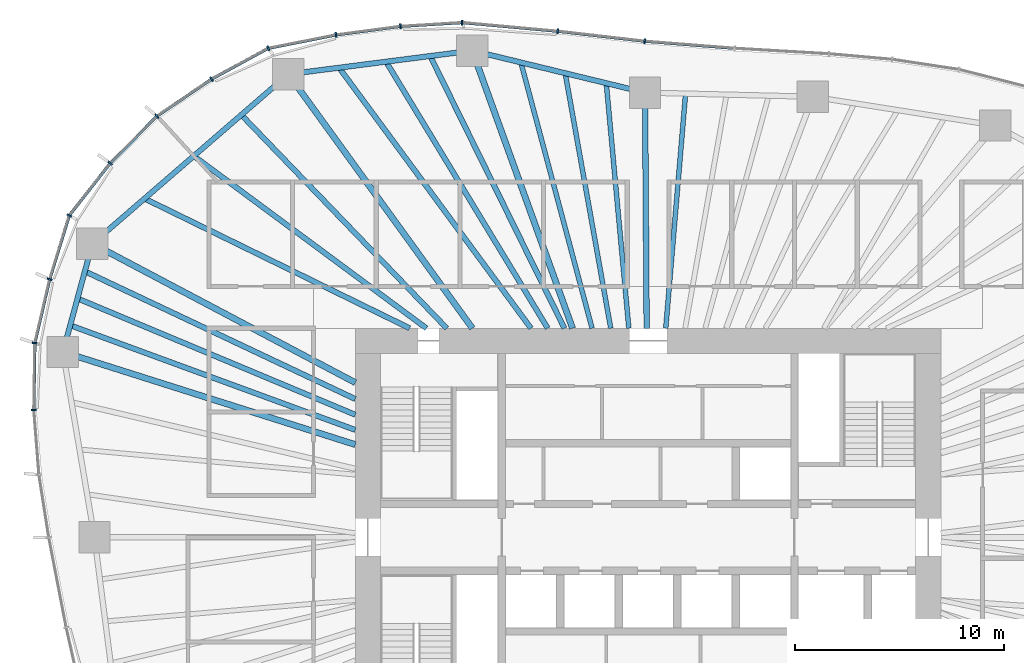
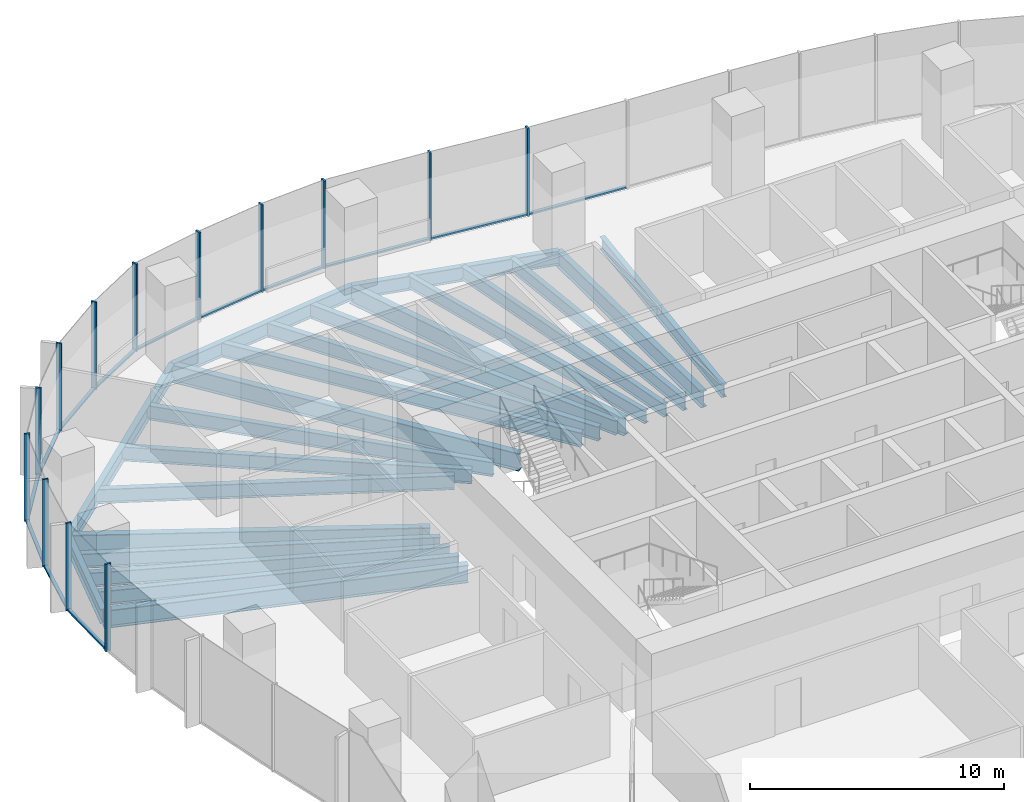
# One storey, part 5 of 18: 26 members, 22 beams, 6 elements without a shape of their own.
"""IFC4 building model written with IfcOpenShell, lengths in metres."""

from ifc_helpers import new_model, si_unit, direction, frame, origin, origin_2d, place, context, subcontext, project, spatial, rectangle, i_section, extrude, material, material_profile, profile_set, type_object, element, aggregate, save


model = new_model("IFC4")

# Units and contexts
model_context = context("Model", 3, precision=1e-05, world=origin(), true_north=direction((0.0, 1.0)))
body_context = subcontext(model_context, "Body", "Model", "MODEL_VIEW")
ifc_project = project(units=[si_unit("LENGTHUNIT", "METRE"), si_unit("AREAUNIT", "SQUARE_METRE"), si_unit("VOLUMEUNIT", "CUBIC_METRE"), si_unit("PLANEANGLEUNIT", "RADIAN"), si_unit("MASSUNIT", "GRAM", prefix="KILO")], contexts=[model_context])

# Site, building, storey
site_placement = place(None, origin())
site = spatial("IfcSite", under=ifc_project, at=site_placement, CompositionType="ELEMENT")
building_placement = place(site_placement, origin())
building = spatial("IfcBuilding", under=site, at=building_placement, Name="Ghaith Harvest Tower", CompositionType="ELEMENT")
storey_placement = place(building_placement, frame((0.0, 0.0, 138.60009765625)))
storey = spatial("IfcBuildingStorey", under=building, at=storey_placement, Name="L29", CompositionType="ELEMENT", Elevation=138.60009765625)

# Curtain wall, members
ifc_material_1 = material(Name="Black anodised aluminium and fritted glass", Category="aluminium")
curtain_wall_type = type_object("IfcCurtainWallType", Name="CW-L CURTAIN WALL", PredefinedType="NOTDEFINED", material=ifc_material_1)
curtain_wall_1_placement = place(storey_placement, origin())
curtain_wall_1 = element("IfcCurtainWall", 1, at=curtain_wall_1_placement, inside=storey, type_object=curtain_wall_type, Name="Curtain wall CW-L bay 06 L29", PredefinedType="NOTDEFINED")
ifc_material_2 = material(Name="Aluminium, black anodised", Category="aluminium")
ifc_material_profile_1 = material_profile(ifc_material_2, rectangle(XDim=0.080078125, YDim=0.239990234375, at=origin_2d()), Name="CW-L MULLION 80x240")
ifc_profile_set_1 = profile_set([ifc_material_profile_1], Name="Aluminium, black anodised")
member_type_1 = type_object("IfcMemberType", Name="CW-L MULLION 80x240", PredefinedType="MULLION", material=ifc_profile_set_1)
member_1_placement = place(storey_placement, frame((-0.162353515625, 23.729736328125, 0.0), z_axis=(0.0, 0.0, 1.0), x_axis=(-0.995388088953, 0.095929934691, 0.0)))
member_1 = element("IfcMember", 2, at=member_1_placement, type_object=member_type_1, Name="CW-L mullion 1 bay 06 L29", PredefinedType="MULLION", context=body_context, shape_type="SweptSolid", body=[
    extrude(rectangle(XDim=0.080078125, YDim=0.239990234375, at=origin_2d()), origin(), (0.0, 0.0, 1.0), 4.199951171875),
])
member_2_placement = place(storey_placement, frame((-4.322998046875, 24.207275390625, 0.0), z_axis=(0.0, 0.0, 1.0), x_axis=(-0.994830371571, 0.101550636625, 0.0)))
member_2 = element("IfcMember", 3, at=member_2_placement, type_object=member_type_1, Name="CW-L mullion 2 bay 06 L29", PredefinedType="MULLION", context=body_context, shape_type="SweptSolid", body=[
    extrude(rectangle(XDim=0.080078125, YDim=0.239990234375, at=origin_2d()), origin(), (0.0, 0.0, 1.0), 4.199951171875),
])

curtain_wall_2_placement = place(storey_placement, origin())
curtain_wall_2 = element("IfcCurtainWall", 4, at=curtain_wall_2_placement, inside=storey, type_object=curtain_wall_type, Name="Curtain wall CW-L bay 07 L29", PredefinedType="NOTDEFINED")
member_3_placement = place(storey_placement, frame((-8.892578125, 24.620849609375, 0.0), z_axis=(0.0, 0.0, 1.0), x_axis=(-0.999522209385, 0.030908784286, 0.0)))
member_3 = element("IfcMember", 5, at=member_3_placement, type_object=member_type_1, Name="CW-L mullion 1 bay 07 L29", PredefinedType="MULLION", context=body_context, shape_type="SweptSolid", body=[
    extrude(rectangle(XDim=0.080078125, YDim=0.239990234375, at=origin_2d()), origin(), (0.0, 0.0, 1.0), 4.199951171875),
])
member_4_placement = place(storey_placement, frame((-11.841064453125, 24.439697265625, 0.0), z_axis=(0.0, 0.0, 1.0), x_axis=(-0.995237520168, -0.097479630949, 0.0)))
member_4 = element("IfcMember", 6, at=member_4_placement, type_object=member_type_1, Name="CW-L mullion 2 bay 07 L29", PredefinedType="MULLION", context=body_context, shape_type="SweptSolid", body=[
    extrude(rectangle(XDim=0.080078125, YDim=0.239990234375, at=origin_2d()), origin(), (0.0, 0.0, 1.0), 4.199951171875),
])
member_5_placement = place(storey_placement, frame((-14.923828125, 24.030029296875, 0.0), z_axis=(0.0, 0.0, 1.0), x_axis=(-0.986494514812, -0.163794298578, 0.0)))
member_5 = element("IfcMember", 7, at=member_5_placement, type_object=member_type_1, Name="CW-L mullion 3 bay 07 L29", PredefinedType="MULLION", context=body_context, shape_type="SweptSolid", body=[
    extrude(rectangle(XDim=0.080078125, YDim=0.239990234375, at=origin_2d()), origin(), (0.0, 0.0, 1.0), 4.199951171875),
])

curtain_wall_3_placement = place(storey_placement, origin())
curtain_wall_3 = element("IfcCurtainWall", 8, at=curtain_wall_3_placement, inside=storey, type_object=curtain_wall_type, Name="Curtain wall CW-L bay 08 L29", PredefinedType="NOTDEFINED")
member_6_placement = place(storey_placement, frame((-18.165283203125, 23.3896484375, 0.0), z_axis=(0.0, 0.0, 1.0), x_axis=(-0.942103541202, -0.335322110298, 0.0)))
member_6 = element("IfcMember", 9, at=member_6_placement, type_object=member_type_1, Name="CW-L mullion 1 bay 08 L29", PredefinedType="MULLION", context=body_context, shape_type="SweptSolid", body=[
    extrude(rectangle(XDim=0.080078125, YDim=0.239990234375, at=origin_2d()), origin(), (0.0, 0.0, 1.0), 4.199951171875),
])
member_7_placement = place(storey_placement, frame((-20.87548828125, 21.91162109375, 0.0), z_axis=(0.0, 0.0, 1.0), x_axis=(-0.853515864435, -0.521066856707, 0.0)))
member_7 = element("IfcMember", 10, at=member_7_placement, type_object=member_type_1, Name="CW-L mullion 2 bay 08 L29", PredefinedType="MULLION", context=body_context, shape_type="SweptSolid", body=[
    extrude(rectangle(XDim=0.080078125, YDim=0.239990234375, at=origin_2d()), origin(), (0.0, 0.0, 1.0), 4.199951171875),
])
member_8_placement = place(storey_placement, frame((-23.489501953125, 20.13916015625, 0.0), z_axis=(0.0, 0.0, 1.0), x_axis=(-0.769682554376, -0.638426789451, 0.0)))
member_8 = element("IfcMember", 11, at=member_8_placement, type_object=member_type_1, Name="CW-L mullion 3 bay 08 L29", PredefinedType="MULLION", context=body_context, shape_type="SweptSolid", body=[
    extrude(rectangle(XDim=0.080078125, YDim=0.239990234375, at=origin_2d()), origin(), (0.0, 0.0, 1.0), 4.199951171875),
])

curtain_wall_4_placement = place(storey_placement, origin())
curtain_wall_4 = element("IfcCurtainWall", 12, at=curtain_wall_4_placement, inside=storey, type_object=curtain_wall_type, Name="Curtain wall CW-L bay 09 L29", PredefinedType="NOTDEFINED")
member_9_placement = place(storey_placement, frame((-25.718017578125, 17.894775390625, 0.0), z_axis=(0.0, 0.0, 1.0), x_axis=(-0.661903840688, -0.749588757708, 0.0)))
member_9 = element("IfcMember", 13, at=member_9_placement, type_object=member_type_1, Name="CW-L mullion 1 bay 09 L29", PredefinedType="MULLION", context=body_context, shape_type="SweptSolid", body=[
    extrude(rectangle(XDim=0.080078125, YDim=0.239990234375, at=origin_2d()), origin(), (0.0, 0.0, 1.0), 4.199951171875),
])
member_10_placement = place(storey_placement, frame((-27.67919921875, 15.39453125, 0.0), z_axis=(0.0, 0.0, 1.0), x_axis=(-0.462889784298, -0.886415843491, 0.0)))
member_10 = element("IfcMember", 14, at=member_10_placement, type_object=member_type_1, Name="CW-L mullion 2 bay 09 L29", PredefinedType="MULLION", context=body_context, shape_type="SweptSolid", body=[
    extrude(rectangle(XDim=0.080078125, YDim=0.239990234375, at=origin_2d()), origin(), (0.0, 0.0, 1.0), 4.199951171875),
])
member_11_placement = place(storey_placement, frame((-28.61669921875, 12.343994140625, 0.0), z_axis=(0.0, 0.0, 1.0), x_axis=(-0.260727312416, -0.965412486226, 0.0)))
member_11 = element("IfcMember", 15, at=member_11_placement, type_object=member_type_1, Name="CW-L mullion 3 bay 09 L29", PredefinedType="MULLION", context=body_context, shape_type="SweptSolid", body=[
    extrude(rectangle(XDim=0.080078125, YDim=0.239990234375, at=origin_2d()), origin(), (0.0, 0.0, 1.0), 4.199951171875),
])

curtain_wall_5_placement = place(storey_placement, origin())
curtain_wall_5 = element("IfcCurtainWall", 16, at=curtain_wall_5_placement, inside=storey, type_object=curtain_wall_type, Name="Curtain wall CW-L bay 10 L29", PredefinedType="NOTDEFINED")
member_12_placement = place(storey_placement, frame((-29.32666015625, 9.294189453125, 0.0), z_axis=(0.0, 0.0, 1.0), x_axis=(-0.120932140225, -0.99266077663, 0.0)))
member_12 = element("IfcMember", 17, at=member_12_placement, type_object=member_type_1, Name="CW-L mullion 1 bay 10 L29", PredefinedType="MULLION", context=body_context, shape_type="SweptSolid", body=[
    extrude(rectangle(XDim=0.080078125, YDim=0.239990234375, at=origin_2d()), origin(), (0.0, 0.0, 1.0), 4.199951171875),
])
member_13_placement = place(storey_placement, frame((-29.3779296875, 6.09619140625, 0.0), z_axis=(0.0, 0.0, 1.0), x_axis=(0.031027769448, -0.999518522851, 0.0)))
member_13 = element("IfcMember", 18, at=member_13_placement, type_object=member_type_1, Name="CW-L mullion 2 bay 10 L29", PredefinedType="MULLION", context=body_context, shape_type="SweptSolid", body=[
    extrude(rectangle(XDim=0.080078125, YDim=0.239990234375, at=origin_2d()), origin(), (0.0, 0.0, 1.0), 4.199951171875),
])

# Curtain wall, member
curtain_wall_6_placement = place(storey_placement, origin())
curtain_wall_6 = element("IfcCurtainWall", 19, at=curtain_wall_6_placement, inside=storey, type_object=curtain_wall_type, Name="Curtain wall CW-L bay 05 L29", PredefinedType="NOTDEFINED")
ifc_material_3 = material(Name="Aluminium, black anodised", Category="aluminium")
ifc_material_profile_2 = material_profile(ifc_material_3, rectangle(XDim=0.14990234375, YDim=0.080078125, at=origin_2d()), Name="CW-L TRANSOM 150x80")
ifc_profile_set_2 = profile_set([ifc_material_profile_2], Name="Aluminium, black anodised")
member_type_2 = type_object("IfcMemberType", Name="CW-L TRANSOM 150x80", PredefinedType="USERDEFINED", material=ifc_profile_set_2)
member_14_placement = place(storey_placement, frame((4.106689453125, 23.39404296875, 0.039794921875), z_axis=(-0.996923406046, 0.078381901463, 0.0), x_axis=(-0.078381901463, -0.996923406046, 0.0)))
member_14 = element("IfcMember", 20, at=member_14_placement, type_object=member_type_2, Name="CW-L transom 2 bay 05 L29", ObjectType="TRANSOM", PredefinedType="USERDEFINED", context=body_context, shape_type="SweptSolid", body=[
    extrude(rectangle(XDim=0.14990234375, YDim=0.080078125, at=origin_2d()), origin(), (0.0, 0.0, 1.0), 4.2421875),
])
aggregate(curtain_wall_6, [member_14])

# Member
member_15_placement = place(storey_placement, frame((-0.2021484375, 23.734130859375, 0.039794921875), z_axis=(-0.993474883942, 0.114051106861, 0.0), x_axis=(-0.114051106861, -0.993474883942, 0.0)))
member_15 = element("IfcMember", 21, at=member_15_placement, type_object=member_type_2, Name="CW-L transom 1 bay 06 L29", ObjectType="TRANSOM", PredefinedType="USERDEFINED", context=body_context, shape_type="SweptSolid", body=[
    extrude(rectangle(XDim=0.14990234375, YDim=0.080078125, at=origin_2d()), origin(), (0.0, 0.0, 1.0), 4.10791015625),
])

member_16_placement = place(storey_placement, frame((-4.36279296875, 24.210693359375, 0.039794921875), z_axis=(-0.995926431676, 0.090169521954, 0.0), x_axis=(-0.090169521954, -0.995926431676, 0.0)))
member_16 = element("IfcMember", 22, at=member_16_placement, type_object=member_type_2, Name="CW-L transom 2 bay 06 L29", ObjectType="TRANSOM", PredefinedType="USERDEFINED", context=body_context, shape_type="SweptSolid", body=[
    extrude(rectangle(XDim=0.14990234375, YDim=0.080078125, at=origin_2d()), origin(), (0.0, 0.0, 1.0), 4.508056640625),
])

aggregate(curtain_wall_1, [member_1, member_15, member_2, member_16])

member_17_placement = place(storey_placement, frame((-8.932373046875, 24.618408203125, 0.039794921875), z_axis=(-0.998117793577, -0.061325933705, 0.0), x_axis=(0.061325933705, -0.998117793577, 0.0)))
member_17 = element("IfcMember", 23, at=member_17_placement, type_object=member_type_2, Name="CW-L transom 1 bay 07 L29", ObjectType="TRANSOM", PredefinedType="USERDEFINED", context=body_context, shape_type="SweptSolid", body=[
    extrude(rectangle(XDim=0.14990234375, YDim=0.080078125, at=origin_2d()), origin(), (0.0, 0.0, 1.0), 2.874267578125),
])

member_18_placement = place(storey_placement, frame((-11.880859375, 24.434326171875, 0.039794921875), z_axis=(-0.991293929443, -0.131667556553, 0.0), x_axis=(0.131667556553, -0.991293929443, 0.0)))
member_18 = element("IfcMember", 24, at=member_18_placement, type_object=member_type_2, Name="CW-L transom 2 bay 07 L29", ObjectType="TRANSOM", PredefinedType="USERDEFINED", context=body_context, shape_type="SweptSolid", body=[
    extrude(rectangle(XDim=0.14990234375, YDim=0.080078125, at=origin_2d()), origin(), (0.0, 0.0, 1.0), 3.02978515625),
])

member_19_placement = place(storey_placement, frame((-14.963134765625, 24.022216796875, 0.039794921875), z_axis=(-0.98104391994, -0.19378551842, 0.0), x_axis=(0.19378551842, -0.98104391994, 0.0)))
member_19 = element("IfcMember", 25, at=member_19_placement, type_object=member_type_2, Name="CW-L transom 3 bay 07 L29", ObjectType="TRANSOM", PredefinedType="USERDEFINED", context=body_context, shape_type="SweptSolid", body=[
    extrude(rectangle(XDim=0.14990234375, YDim=0.080078125, at=origin_2d()), origin(), (0.0, 0.0, 1.0), 3.223876953125),
])

aggregate(curtain_wall_2, [member_3, member_17, member_4, member_18, member_5, member_19])

member_20_placement = place(storey_placement, frame((-18.200439453125, 23.37060546875, 0.039794921875), z_axis=(-0.877929702377, -0.478789554695, 0.0), x_axis=(0.478789554695, -0.877929702377, 0.0)))
member_20 = element("IfcMember", 26, at=member_20_placement, type_object=member_type_2, Name="CW-L transom 1 bay 08 L29", ObjectType="TRANSOM", PredefinedType="USERDEFINED", context=body_context, shape_type="SweptSolid", body=[
    extrude(rectangle(XDim=0.14990234375, YDim=0.080078125, at=origin_2d()), origin(), (0.0, 0.0, 1.0), 3.0068359375),
])

member_21_placement = place(storey_placement, frame((-20.908447265625, 21.88916015625, 0.039794921875), z_axis=(-0.827681025079, -0.561198824593, 0.0), x_axis=(0.561198824593, -0.827681025079, 0.0)))
member_21 = element("IfcMember", 27, at=member_21_placement, type_object=member_type_2, Name="CW-L transom 2 bay 08 L29", ObjectType="TRANSOM", PredefinedType="USERDEFINED", context=body_context, shape_type="SweptSolid", body=[
    extrude(rectangle(XDim=0.14990234375, YDim=0.080078125, at=origin_2d()), origin(), (0.0, 0.0, 1.0), 3.078369140625),
])

member_22_placement = place(storey_placement, frame((-23.517578125, 20.11083984375, 0.039794921875), z_axis=(-0.704647577514, -0.709557461735, 0.0), x_axis=(0.709557461735, -0.704647577514, 0.0)))
member_22 = element("IfcMember", 28, at=member_22_placement, type_object=member_type_2, Name="CW-L transom 3 bay 08 L29", ObjectType="TRANSOM", PredefinedType="USERDEFINED", context=body_context, shape_type="SweptSolid", body=[
    extrude(rectangle(XDim=0.14990234375, YDim=0.080078125, at=origin_2d()), origin(), (0.0, 0.0, 1.0), 3.0830078125),
])

aggregate(curtain_wall_3, [member_6, member_20, member_7, member_21, member_8, member_22])

member_23_placement = place(storey_placement, frame((-25.74267578125, 17.86328125, 0.039794921875), z_axis=(-0.617198298797, -0.786807638474, 0.0), x_axis=(0.786807638474, -0.617198298797, 0.0)))
member_23 = element("IfcMember", 29, at=member_23_placement, type_object=member_type_2, Name="CW-L transom 1 bay 09 L29", ObjectType="TRANSOM", PredefinedType="USERDEFINED", context=body_context, shape_type="SweptSolid", body=[
    extrude(rectangle(XDim=0.14990234375, YDim=0.080078125, at=origin_2d()), origin(), (0.0, 0.0, 1.0), 3.09765625),
])

member_24_placement = place(storey_placement, frame((-27.69091796875, 15.356201171875, 0.039794921875), z_axis=(-0.293777058804, -0.955873966441, 0.0), x_axis=(0.955873966441, -0.293777058804, 0.0)))
member_24 = element("IfcMember", 30, at=member_24_placement, type_object=member_type_2, Name="CW-L transom 2 bay 09 L29", ObjectType="TRANSOM", PredefinedType="USERDEFINED", context=body_context, shape_type="SweptSolid", body=[
    extrude(rectangle(XDim=0.14990234375, YDim=0.080078125, at=origin_2d()), origin(), (0.0, 0.0, 1.0), 3.111328125),
])

member_25_placement = place(storey_placement, frame((-28.6259765625, 12.304931640625, 0.039794921875), z_axis=(-0.226670598607, -0.973971477882, 0.0), x_axis=(0.973971477882, -0.226670598607, 0.0)))
member_25 = element("IfcMember", 31, at=member_25_placement, type_object=member_type_2, Name="CW-L transom 3 bay 09 L29", ObjectType="TRANSOM", PredefinedType="USERDEFINED", context=body_context, shape_type="SweptSolid", body=[
    extrude(rectangle(XDim=0.14990234375, YDim=0.080078125, at=origin_2d()), origin(), (0.0, 0.0, 1.0), 3.05126953125),
])

aggregate(curtain_wall_4, [member_9, member_23, member_10, member_24, member_11, member_25])

member_26_placement = place(storey_placement, frame((-29.327392578125, 9.254150390625, 0.039794921875), z_axis=(-0.015971652868, -0.999872445017, 0.0), x_axis=(0.999872445017, -0.015971652868, 0.0)))
member_26 = element("IfcMember", 32, at=member_26_placement, type_object=member_type_2, Name="CW-L transom 1 bay 10 L29", ObjectType="TRANSOM", PredefinedType="USERDEFINED", context=body_context, shape_type="SweptSolid", body=[
    extrude(rectangle(XDim=0.14990234375, YDim=0.080078125, at=origin_2d()), origin(), (0.0, 0.0, 1.0), 3.118408203125),
])

aggregate(curtain_wall_5, [member_12, member_26, member_13])

# Beams
ifc_material_4 = material(Name="Steel ASTM A992 Grade 50", Category="steel")
ifc_material_profile_3 = material_profile(ifc_material_4, i_section(OverallWidth=0.25390625, OverallDepth=0.68408203125, WebThickness=0.012451171875, FlangeThickness=0.018798828125, at=origin_2d()), Name="W690X140")
ifc_profile_set_3 = profile_set([ifc_material_profile_3], Name="Steel ASTM A992 Grade 50")
beam_type_1 = type_object("IfcBeamType", Name="E690-140 W690X140", PredefinedType="SPANDREL", material=ifc_profile_set_3)
beam_1_placement = place(storey_placement, frame((-0.14599609375, 21.27099609375, -0.51220703125), z_axis=(-0.971790293477, 0.235846614358, 0.0), x_axis=(-0.235846614358, -0.971790293477, 0.0)))
element("IfcBeam", 33, at=beam_1_placement, inside=storey, type_object=beam_type_1, Name="Edge beam E06 L29", PredefinedType="SPANDREL", context=body_context, shape_type="SweptSolid", body=[
    extrude(i_section(OverallWidth=0.25390625, OverallDepth=0.68408203125, WebThickness=0.012451171875, FlangeThickness=0.018798828125, at=origin_2d()), origin(), (0.0, 0.0, 1.0), 8.500732421875),
])
beam_2_placement = place(storey_placement, frame((-8.406982421875, 23.27587890625, -0.51220703125), z_axis=(-0.991904090065, -0.126989275577, 0.0), x_axis=(0.126989275577, -0.991904090065, 0.0)))
element("IfcBeam", 34, at=beam_2_placement, inside=storey, type_object=beam_type_1, Name="Edge beam E07 L29", PredefinedType="SPANDREL", context=body_context, shape_type="SweptSolid", body=[
    extrude(i_section(OverallWidth=0.25390625, OverallDepth=0.68408203125, WebThickness=0.012451171875, FlangeThickness=0.018798828125, at=origin_2d()), origin(), (0.0, 0.0, 1.0), 8.86669921875),
])
beam_3_placement = place(storey_placement, frame((-17.201904296875, 22.14990234375, -0.51220703125), z_axis=(-0.756392158274, -0.654118416574, 0.0), x_axis=(0.654118416574, -0.756392158274, 0.0)))
element("IfcBeam", 35, at=beam_3_placement, inside=storey, type_object=beam_type_1, Name="Edge beam E08 L29", PredefinedType="SPANDREL", context=body_context, shape_type="SweptSolid", body=[
    extrude(i_section(OverallWidth=0.25390625, OverallDepth=0.68408203125, WebThickness=0.012451171875, FlangeThickness=0.018798828125, at=origin_2d()), origin(), (0.0, 0.0, 1.0), 12.38916015625),
])
beam_4_placement = place(storey_placement, frame((-26.572998046875, 14.0458984375, -0.51220703125), z_axis=(-0.262724740433, -0.964870825947, 0.0), x_axis=(0.964870825947, -0.262724740433, 0.0)))
element("IfcBeam", 36, at=beam_4_placement, inside=storey, type_object=beam_type_1, Name="Edge beam E09 L29", PredefinedType="SPANDREL", context=body_context, shape_type="SweptSolid", body=[
    extrude(i_section(OverallWidth=0.25390625, OverallDepth=0.68408203125, WebThickness=0.012451171875, FlangeThickness=0.018798828125, at=origin_2d()), origin(), (0.0, 0.0, 1.0), 5.366455078125),
])
ifc_material_5 = material(Name="Steel ASTM A992 Grade 50", Category="steel")
ifc_material_profile_4 = material_profile(ifc_material_5, i_section(OverallWidth=0.26806640625, OverallDepth=0.77001953125, WebThickness=0.015625, FlangeThickness=0.025390625, at=origin_2d()), Name="W760X196")
ifc_profile_set_4 = profile_set([ifc_material_profile_4], Name="Steel ASTM A992 Grade 50")
beam_type_2 = type_object("IfcBeamType", Name="G760-196 W760X196", PredefinedType="BEAM", material=ifc_profile_set_4)
beam_5_placement = place(storey_placement, frame((-0.068359375, 10.0, -0.55517578125), z_axis=(-0.006888022705, 0.99997627729, 0.0), x_axis=(-0.99997627729, -0.006888022705, 0.0)))
element("IfcBeam", 37, at=beam_5_placement, inside=storey, type_object=beam_type_2, Name="Radial girder G06 L29", PredefinedType="BEAM", context=body_context, shape_type="SweptSolid", body=[
    extrude(i_section(OverallWidth=0.26806640625, OverallDepth=0.77001953125, WebThickness=0.015625, FlangeThickness=0.025390625, at=origin_2d()), origin(), (0.0, 0.0, 1.0), 11.271240234375),
])
ifc_material_6 = material(Name="Steel ASTM A992 Grade 50", Category="steel")
ifc_material_profile_5 = material_profile(ifc_material_6, i_section(OverallWidth=0.2939453125, OverallDepth=0.85107421875, WebThickness=0.01611328125, FlangeThickness=0.02685546875, at=origin_2d()), Name="W840X226")
ifc_profile_set_5 = profile_set([ifc_material_profile_5], Name="Steel ASTM A992 Grade 50")
beam_type_3 = type_object("IfcBeamType", Name="G840-226 W840X226", PredefinedType="BEAM", material=ifc_profile_set_5)
beam_6_placement = place(storey_placement, frame((-3.61181640625, 10.0, -0.595703125), z_axis=(-0.339713316819, 0.940529033245, 0.0), x_axis=(-0.940529033245, -0.339713316819, 0.0)))
element("IfcBeam", 38, at=beam_6_placement, inside=storey, type_object=beam_type_3, Name="Radial girder G07 L29", PredefinedType="BEAM", context=body_context, shape_type="SweptSolid", body=[
    extrude(i_section(OverallWidth=0.2939453125, OverallDepth=0.85107421875, WebThickness=0.01611328125, FlangeThickness=0.02685546875, at=origin_2d()), origin(), (0.0, 0.0, 1.0), 14.115234375),
])
beam_7_placement = place(storey_placement, frame((-8.39990234375, 10.0, -0.595703125), z_axis=(-0.586675813287, 0.809821887889, 0.0), x_axis=(-0.809821887889, -0.586675813287, 0.0)))
element("IfcBeam", 39, at=beam_7_placement, inside=storey, type_object=beam_type_3, Name="Radial girder G08 L29", PredefinedType="BEAM", context=body_context, shape_type="SweptSolid", body=[
    extrude(i_section(OverallWidth=0.2939453125, OverallDepth=0.85107421875, WebThickness=0.01611328125, FlangeThickness=0.02685546875, at=origin_2d()), origin(), (0.0, 0.0, 1.0), 15.003173828125),
])
beam_8_placement = place(storey_placement, frame((-14.0, 7.39990234375, -0.595703125), z_axis=(-0.88408713845, 0.467322085533, 0.0), x_axis=(-0.467322085533, -0.88408713845, 0.0)))
element("IfcBeam", 40, at=beam_8_placement, inside=storey, type_object=beam_type_3, Name="Radial girder G09 L29", PredefinedType="BEAM", context=body_context, shape_type="SweptSolid", body=[
    extrude(i_section(OverallWidth=0.2939453125, OverallDepth=0.85107421875, WebThickness=0.01611328125, FlangeThickness=0.02685546875, at=origin_2d()), origin(), (0.0, 0.0, 1.0), 14.221435546875),
])
beam_9_placement = place(storey_placement, frame((-14.0, 4.43701171875, -0.595703125), z_axis=(-0.953283605796, 0.302076756671, 0.0), x_axis=(-0.302076756671, -0.953283605796, 0.0)))
element("IfcBeam", 41, at=beam_9_placement, inside=storey, type_object=beam_type_3, Name="Radial girder G10 L29", PredefinedType="BEAM", context=body_context, shape_type="SweptSolid", body=[
    extrude(i_section(OverallWidth=0.2939453125, OverallDepth=0.85107421875, WebThickness=0.01611328125, FlangeThickness=0.02685546875, at=origin_2d()), origin(), (0.0, 0.0, 1.0), 14.668212890625),
])
ifc_material_7 = material(Name="Steel ASTM A992 Grade 50", Category="steel")
ifc_material_profile_6 = material_profile(ifc_material_7, i_section(OverallWidth=0.22900390625, OverallDepth=0.612060546875, WebThickness=0.011962890625, FlangeThickness=0.01953125, at=origin_2d()), Name="W610X125")
ifc_profile_set_6 = profile_set([ifc_material_profile_6], Name="Steel ASTM A992 Grade 50")
beam_type_4 = type_object("IfcBeamType", Name="J610-125 W610X125", PredefinedType="JOIST", material=ifc_profile_set_6)
beam_10_placement = place(storey_placement, frame((0.844970703125, 10.0, -0.47607421875), z_axis=(0.084213263804, 0.996447753873, 0.0), x_axis=(-0.996447753873, 0.084213263804, 0.0)))
element("IfcBeam", 42, at=beam_10_placement, inside=storey, type_object=beam_type_4, Name="Joist J05.3 L29", PredefinedType="JOIST", context=body_context, shape_type="SweptSolid", body=[
    extrude(i_section(OverallWidth=0.22900390625, OverallDepth=0.612060546875, WebThickness=0.011962890625, FlangeThickness=0.01953125, at=origin_2d()), origin(), (0.0, 0.0, 1.0), 11.262939453125),
])
beam_11_placement = place(storey_placement, frame((-0.92041015625, 10.0, -0.47607421875), z_axis=(-0.091659676302, 0.995790391468, 0.0), x_axis=(-0.995790391468, -0.091659676302, 0.0)))
element("IfcBeam", 43, at=beam_11_placement, inside=storey, type_object=beam_type_4, Name="Joist J06.1 L29", PredefinedType="JOIST", context=body_context, shape_type="SweptSolid", body=[
    extrude(i_section(OverallWidth=0.22900390625, OverallDepth=0.612060546875, WebThickness=0.011962890625, FlangeThickness=0.01953125, at=origin_2d()), origin(), (0.0, 0.0, 1.0), 11.770263671875),
])
beam_12_placement = place(storey_placement, frame((-1.785888671875, 10.0, -0.47607421875), z_axis=(-0.175794730188, 0.984426844838, 0.0), x_axis=(-0.984426844838, -0.175794730188, 0.0)))
element("IfcBeam", 44, at=beam_12_placement, inside=storey, type_object=beam_type_4, Name="Joist J06.2 L29", PredefinedType="JOIST", context=body_context, shape_type="SweptSolid", body=[
    extrude(i_section(OverallWidth=0.22900390625, OverallDepth=0.612060546875, WebThickness=0.011962890625, FlangeThickness=0.01953125, at=origin_2d()), origin(), (0.0, 0.0, 1.0), 12.390625),
])
beam_13_placement = place(storey_placement, frame((-2.677978515625, 10.0, -0.47607421875), z_axis=(-0.258692500157, 0.965959725021, 0.0), x_axis=(-0.965959725021, -0.258692500157, 0.0)))
element("IfcBeam", 45, at=beam_13_placement, inside=storey, type_object=beam_type_4, Name="Joist J06.3 L29", PredefinedType="JOIST", context=body_context, shape_type="SweptSolid", body=[
    extrude(i_section(OverallWidth=0.22900390625, OverallDepth=0.612060546875, WebThickness=0.011962890625, FlangeThickness=0.01953125, at=origin_2d()), origin(), (0.0, 0.0, 1.0), 13.15966796875),
])
ifc_material_8 = material(Name="Steel ASTM A992 Grade 50", Category="steel")
ifc_material_profile_7 = material_profile(ifc_material_8, i_section(OverallWidth=0.25390625, OverallDepth=0.68408203125, WebThickness=0.012451171875, FlangeThickness=0.018798828125, at=origin_2d()), Name="W690X140")
ifc_profile_set_7 = profile_set([ifc_material_profile_7], Name="Steel ASTM A992 Grade 50")
beam_type_5 = type_object("IfcBeamType", Name="J690-140 W690X140", PredefinedType="JOIST", material=ifc_profile_set_7)
beam_14_placement = place(storey_placement, frame((-4.0, 10.0, -0.51220703125), z_axis=(-0.442214455448, 0.896909346251, 0.0), x_axis=(-0.896909346251, -0.442214455448, 0.0)))
element("IfcBeam", 46, at=beam_14_placement, inside=storey, type_object=beam_type_5, Name="Joist J07.1 L29", PredefinedType="JOIST", context=body_context, shape_type="SweptSolid", body=[
    extrude(i_section(OverallWidth=0.25390625, OverallDepth=0.68408203125, WebThickness=0.012451171875, FlangeThickness=0.018798828125, at=origin_2d()), origin(), (0.0, 0.0, 1.0), 14.514892578125),
])
beam_15_placement = place(storey_placement, frame((-4.800048828125, 10.0, -0.51220703125), z_axis=(-0.51847337083, 0.855093774822, 0.0), x_axis=(-0.855093774822, -0.51847337083, 0.0)))
element("IfcBeam", 47, at=beam_15_placement, inside=storey, type_object=beam_type_5, Name="Joist J07.2 L29", PredefinedType="JOIST", context=body_context, shape_type="SweptSolid", body=[
    extrude(i_section(OverallWidth=0.25390625, OverallDepth=0.68408203125, WebThickness=0.012451171875, FlangeThickness=0.018798828125, at=origin_2d()), origin(), (0.0, 0.0, 1.0), 14.90869140625),
])
beam_16_placement = place(storey_placement, frame((-5.60009765625, 10.0, -0.51220703125), z_axis=(-0.592984827174, 0.805213632983, 0.0), x_axis=(-0.805213632983, -0.592984827174, 0.0)))
element("IfcBeam", 48, at=beam_16_placement, inside=storey, type_object=beam_type_5, Name="Joist J07.3 L29", PredefinedType="JOIST", context=body_context, shape_type="SweptSolid", body=[
    extrude(i_section(OverallWidth=0.25390625, OverallDepth=0.68408203125, WebThickness=0.012451171875, FlangeThickness=0.018798828125, at=origin_2d()), origin(), (0.0, 0.0, 1.0), 15.474609375),
])
beam_17_placement = place(storey_placement, frame((-9.626708984375, 10.0, -0.51220703125), z_axis=(-0.693535693616, 0.720422266231, 0.0), x_axis=(-0.720422266231, -0.693535693616, 0.0)))
element("IfcBeam", 49, at=beam_17_placement, inside=storey, type_object=beam_type_5, Name="Joist J08.1 L29", PredefinedType="JOIST", context=body_context, shape_type="SweptSolid", body=[
    extrude(i_section(OverallWidth=0.25390625, OverallDepth=0.68408203125, WebThickness=0.012451171875, FlangeThickness=0.018798828125, at=origin_2d()), origin(), (0.0, 0.0, 1.0), 14.16552734375),
])
beam_18_placement = place(storey_placement, frame((-10.60009765625, 10.0, -0.51220703125), z_axis=(-0.803663089107, 0.595084564752, 0.0), x_axis=(-0.595084564752, -0.803663089107, 0.0)))
element("IfcBeam", 50, at=beam_18_placement, inside=storey, type_object=beam_type_5, Name="Joist J08.2 L29", PredefinedType="JOIST", context=body_context, shape_type="SweptSolid", body=[
    extrude(i_section(OverallWidth=0.25390625, OverallDepth=0.68408203125, WebThickness=0.012451171875, FlangeThickness=0.018798828125, at=origin_2d()), origin(), (0.0, 0.0, 1.0), 13.843505859375),
])
beam_19_placement = place(storey_placement, frame((-11.39990234375, 10.0, -0.51220703125), z_axis=(-0.898274832354, 0.439434096946, 0.0), x_axis=(-0.439434096946, -0.898274832354, 0.0)))
element("IfcBeam", 51, at=beam_19_placement, inside=storey, type_object=beam_type_5, Name="Joist J08.3 L29", PredefinedType="JOIST", context=body_context, shape_type="SweptSolid", body=[
    extrude(i_section(OverallWidth=0.25390625, OverallDepth=0.68408203125, WebThickness=0.012451171875, FlangeThickness=0.018798828125, at=origin_2d()), origin(), (0.0, 0.0, 1.0), 14.114990234375),
])
beam_20_placement = place(storey_placement, frame((-14.0, 6.614990234375, -0.51220703125), z_axis=(-0.904153428261, 0.427207886354, 0.0), x_axis=(-0.427207886354, -0.904153428261, 0.0)))
element("IfcBeam", 52, at=beam_20_placement, inside=storey, type_object=beam_type_5, Name="Joist J09.1 L29", PredefinedType="JOIST", context=body_context, shape_type="SweptSolid", body=[
    extrude(i_section(OverallWidth=0.25390625, OverallDepth=0.68408203125, WebThickness=0.012451171875, FlangeThickness=0.018798828125, at=origin_2d()), origin(), (0.0, 0.0, 1.0), 14.303466796875),
])
beam_21_placement = place(storey_placement, frame((-14.0, 5.862548828125, -0.51220703125), z_axis=(-0.922385943167, 0.38626955853, 0.0), x_axis=(-0.38626955853, -0.922385943167, 0.0)))
element("IfcBeam", 53, at=beam_21_placement, inside=storey, type_object=beam_type_5, Name="Joist J09.2 L29", PredefinedType="JOIST", context=body_context, shape_type="SweptSolid", body=[
    extrude(i_section(OverallWidth=0.25390625, OverallDepth=0.68408203125, WebThickness=0.012451171875, FlangeThickness=0.018798828125, at=origin_2d()), origin(), (0.0, 0.0, 1.0), 14.404296875),
])
beam_22_placement = place(storey_placement, frame((-14.0, 5.137939453125, -0.51220703125), z_axis=(-0.93877541132, 0.344529718748, 0.0), x_axis=(-0.344529718748, -0.93877541132, 0.0)))
element("IfcBeam", 54, at=beam_22_placement, inside=storey, type_object=beam_type_5, Name="Joist J09.3 L29", PredefinedType="JOIST", context=body_context, shape_type="SweptSolid", body=[
    extrude(i_section(OverallWidth=0.25390625, OverallDepth=0.68408203125, WebThickness=0.012451171875, FlangeThickness=0.018798828125, at=origin_2d()), origin(), (0.0, 0.0, 1.0), 14.525390625),
])

save(model, "model.ifc")
